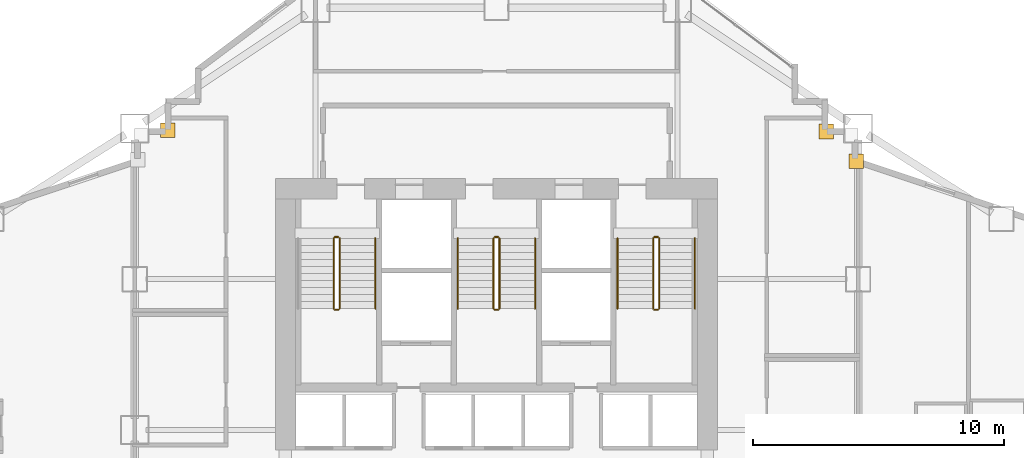
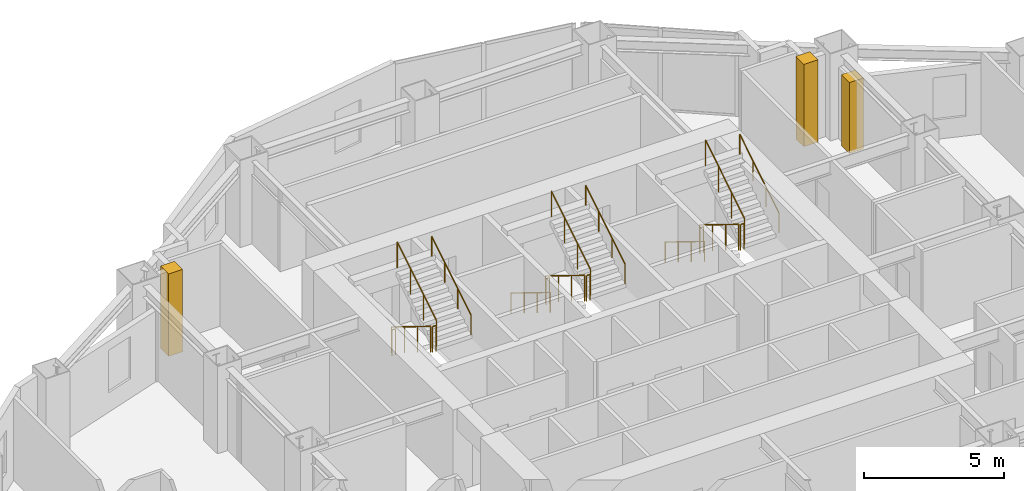
# One storey, part 15 of 16: 17 railings, 3 coverings.
"""IFC4 building model written with IfcOpenShell, lengths in metres."""

from ifc_helpers import new_model, si_unit, direction, frame, origin, origin_2d, place, context, subcontext, project, spatial, rectangle, circle, extrude, material, layer, layer_set, type_object, element, save


model = new_model("IFC4")

# Units and contexts
model_context = context("Model", 3, precision=1e-05, world=origin(), true_north=direction((0.0, 1.0)))
body_context = subcontext(model_context, "Body", "Model", "MODEL_VIEW")
ifc_project = project(units=[si_unit("LENGTHUNIT", "METRE"), si_unit("AREAUNIT", "SQUARE_METRE"), si_unit("VOLUMEUNIT", "CUBIC_METRE"), si_unit("PLANEANGLEUNIT", "RADIAN"), si_unit("MASSUNIT", "GRAM", prefix="KILO")], contexts=[model_context])

# Site, building, storey
site_placement = place(None, origin())
site = spatial("IfcSite", under=ifc_project, at=site_placement, CompositionType="ELEMENT")
building_placement = place(site_placement, origin())
building = spatial("IfcBuilding", under=site, at=building_placement, Name="Haolan Belvedere Tower", CompositionType="ELEMENT")
storey_placement = place(building_placement, frame((0.0, 0.0, 62.800048828125)))
storey = spatial("IfcBuildingStorey", under=building, at=storey_placement, Name="L15", CompositionType="ELEMENT", Elevation=62.800048828125)

# Coverings
ifc_material_1 = material(Name="Pale champagne-silver anodised aluminium rainscreen cladding", Category="aluminium")
ifc_layer = layer(ifc_material_1, 0.034912109375, Name="Pale champagne-silver anodised aluminium rainscreen cladding")
ifc_layer_set = layer_set([ifc_layer], Name="Pale champagne-silver anodised aluminium rainscreen cladding")
covering_type = type_object("IfcCoveringType", Name="COV-CLAD-35", PredefinedType="CLADDING", material=ifc_layer_set)
covering_placement = place(storey_placement, frame((52.72021484375, 44.300048828125, 0.0), z_axis=(0.0, 0.0, 1.0), x_axis=(1.0, 0.0, 0.0)))
element("IfcCovering", 1, at=covering_placement, inside=storey, type_object=covering_type, Name="L15 pale-metal serrated corner cladding trim 7", PredefinedType="CLADDING", context=body_context, shape_type="SweptSolid", body=[
    extrude(rectangle(XDim=0.580078125, YDim=0.580078125, at=origin_2d()), origin(), (0.0, 0.0, 1.0), 3.096923828125),
])
for number, where, z_axis, x_axis, name in (
    (2, (51.5224609375, 45.47998046875, 0.0), (0.0, 0.0, 1.0), (1.0, 0.0, 0.0), "L15 pale-metal serrated corner cladding trim 8"),
    (3, (25.320068359375, 45.5224609375, 0.0), (0.0, 0.0, 1.0), (1.0, 0.0, 0.0), "L15 pale-metal serrated corner cladding trim 9"),
):
    element("IfcCovering", number, at=place(storey_placement, frame(where, z_axis=z_axis, x_axis=x_axis)), inside=storey, type_object=covering_type, Name=name, PredefinedType="CLADDING", context=body_context, shape_type="SweptSolid", body=[
        extrude(rectangle(XDim=0.580078125, YDim=0.580078125, at=origin_2d()), origin(), (0.0, 0.0, 1.0), 3.60009765625),
    ])

# Railings
ifc_material_2 = material(Name="Brushed stainless steel 304", Category="steel")
railing_type_1 = type_object("IfcRailingType", Name="RL-STAIR-GRD-1150", PredefinedType="GUARDRAIL", material=ifc_material_2)
railing_1_placement = place(storey_placement, frame((31.919921875, 41.22998046875, 0.172607421875)))
element("IfcRailing", 4, at=railing_1_placement, inside=storey, type_object=railing_type_1, Name="L15 ST1 stair guard 1", PredefinedType="GUARDRAIL", context=body_context, shape_type="SweptSolid", body=[
    extrude(circle(Radius=0.02392578125, at=origin_2d()), frame((0.0, 0.0, 1.1259765625), z_axis=(0.0, -0.851089632645, 0.525020415988), x_axis=(1.0, 0.0, 0.0)), (0.0, 0.0, 1.0), 3.2900390625),
    extrude(circle(Radius=0.02099609375, at=origin_2d()), origin(), (0.0, 0.0, 1.0), 1.101806640625),
    extrude(circle(Radius=0.02099609375, at=origin_2d()), frame((0.0, -0.933349609375, 0.57568359375)), (0.0, 0.0, 1.0), 1.101806640625),
    extrude(circle(Radius=0.02099609375, at=origin_2d()), frame((0.0, -1.86669921875, 1.151611328125)), (0.0, 0.0, 1.0), 1.101806640625),
    extrude(circle(Radius=0.02099609375, at=origin_2d()), frame((0.0, -2.800048828125, 1.727294921875)), (0.0, 0.0, 1.0), 1.101806640625),
])
railing_2_placement = place(storey_placement, frame((31.969970703125, 38.3798828125, 1.89990234375)))
element("IfcRailing", 5, at=railing_2_placement, inside=storey, type_object=railing_type_1, Name="L15 ST1 stair guard 2", PredefinedType="GUARDRAIL", context=body_context, shape_type="SweptSolid", body=[
    extrude(circle(Radius=0.02392578125, at=origin_2d()), frame((0.0, 0.0, 1.1259765625), z_axis=(1.0, 0.0, 0.0), x_axis=(0.0, 1.0, 0.0)), (0.0, 0.0, 1.0), 0.14013671875),
    extrude(circle(Radius=0.02099609375, at=origin_2d()), origin(), (0.0, 0.0, 1.0), 1.101806640625),
    extrude(circle(Radius=0.02099609375, at=origin_2d()), frame((0.14013671875, 0.0, 0.0)), (0.0, 0.0, 1.0), 1.101806640625),
])
railing_3_placement = place(storey_placement, frame((32.159912109375, 38.429931640625, 2.07275390625)))
element("IfcRailing", 6, at=railing_3_placement, inside=storey, type_object=railing_type_1, Name="L15 ST1 stair guard 3", PredefinedType="GUARDRAIL", context=body_context, shape_type="SweptSolid", body=[
    extrude(circle(Radius=0.02392578125, at=origin_2d()), frame((0.0, 0.0, 1.1259765625), z_axis=(0.0, 0.851089632645, 0.525020415988), x_axis=(-1.0, 0.0, 0.0)), (0.0, 0.0, 1.0), 3.2900390625),
    extrude(circle(Radius=0.02099609375, at=origin_2d()), origin(), (0.0, 0.0, 1.0), 1.101806640625),
    extrude(circle(Radius=0.02099609375, at=origin_2d()), frame((0.0, 0.933349609375, 0.57568359375)), (0.0, 0.0, 1.0), 1.101806640625),
    extrude(circle(Radius=0.02099609375, at=origin_2d()), frame((0.0, 1.86669921875, 1.151611328125)), (0.0, 0.0, 1.0), 1.101806640625),
    extrude(circle(Radius=0.02099609375, at=origin_2d()), frame((0.0, 2.800048828125, 1.727294921875)), (0.0, 0.0, 1.0), 1.101806640625),
])
railing_4_placement = place(storey_placement, frame((31.969970703125, 41.280029296875, 0.0)))
element("IfcRailing", 7, at=railing_4_placement, inside=storey, type_object=railing_type_1, Name="L15 ST1 stair guard 4", PredefinedType="GUARDRAIL", context=body_context, shape_type="SweptSolid", body=[
    extrude(circle(Radius=0.02392578125, at=origin_2d()), frame((0.0, 0.0, 1.1259765625), z_axis=(1.0, 0.0, 0.0), x_axis=(0.0, 1.0, 0.0)), (0.0, 0.0, 1.0), 0.14013671875),
    extrude(circle(Radius=0.02099609375, at=origin_2d()), origin(), (0.0, 0.0, 1.0), 1.101806640625),
    extrude(circle(Radius=0.02099609375, at=origin_2d()), frame((0.14013671875, 0.0, 0.0)), (0.0, 0.0, 1.0), 1.101806640625),
])
railing_5_placement = place(storey_placement, frame((38.280029296875, 41.22998046875, 0.172607421875)))
element("IfcRailing", 8, at=railing_5_placement, inside=storey, type_object=railing_type_1, Name="L15 ST3 stair guard 1", PredefinedType="GUARDRAIL", context=body_context, shape_type="SweptSolid", body=[
    extrude(circle(Radius=0.02392578125, at=origin_2d()), frame((0.0, 0.0, 1.1259765625), z_axis=(0.0, -0.851089632645, 0.525020415988), x_axis=(1.0, 0.0, 0.0)), (0.0, 0.0, 1.0), 3.2900390625),
    extrude(circle(Radius=0.02099609375, at=origin_2d()), origin(), (0.0, 0.0, 1.0), 1.101806640625),
    extrude(circle(Radius=0.02099609375, at=origin_2d()), frame((0.0, -0.933349609375, 0.57568359375)), (0.0, 0.0, 1.0), 1.101806640625),
    extrude(circle(Radius=0.02099609375, at=origin_2d()), frame((0.0, -1.86669921875, 1.151611328125)), (0.0, 0.0, 1.0), 1.101806640625),
    extrude(circle(Radius=0.02099609375, at=origin_2d()), frame((0.0, -2.800048828125, 1.727294921875)), (0.0, 0.0, 1.0), 1.101806640625),
])
railing_6_placement = place(storey_placement, frame((38.330078125, 38.3798828125, 1.89990234375)))
element("IfcRailing", 9, at=railing_6_placement, inside=storey, type_object=railing_type_1, Name="L15 ST3 stair guard 2", PredefinedType="GUARDRAIL", context=body_context, shape_type="SweptSolid", body=[
    extrude(circle(Radius=0.02392578125, at=origin_2d()), frame((0.0, 0.0, 1.1259765625), z_axis=(1.0, 0.0, 0.0), x_axis=(0.0, 1.0, 0.0)), (0.0, 0.0, 1.0), 0.139892578125),
    extrude(circle(Radius=0.02099609375, at=origin_2d()), origin(), (0.0, 0.0, 1.0), 1.101806640625),
    extrude(circle(Radius=0.02099609375, at=origin_2d()), frame((0.139892578125, 0.0, 0.0)), (0.0, 0.0, 1.0), 1.101806640625),
])
railing_7_placement = place(storey_placement, frame((38.52001953125, 38.429931640625, 2.07275390625)))
element("IfcRailing", 10, at=railing_7_placement, inside=storey, type_object=railing_type_1, Name="L15 ST3 stair guard 3", PredefinedType="GUARDRAIL", context=body_context, shape_type="SweptSolid", body=[
    extrude(circle(Radius=0.02392578125, at=origin_2d()), frame((0.0, 0.0, 1.1259765625), z_axis=(0.0, 0.851089632645, 0.525020415988), x_axis=(-1.0, 0.0, 0.0)), (0.0, 0.0, 1.0), 3.2900390625),
    extrude(circle(Radius=0.02099609375, at=origin_2d()), origin(), (0.0, 0.0, 1.0), 1.101806640625),
    extrude(circle(Radius=0.02099609375, at=origin_2d()), frame((0.0, 0.933349609375, 0.57568359375)), (0.0, 0.0, 1.0), 1.101806640625),
    extrude(circle(Radius=0.02099609375, at=origin_2d()), frame((0.0, 1.86669921875, 1.151611328125)), (0.0, 0.0, 1.0), 1.101806640625),
    extrude(circle(Radius=0.02099609375, at=origin_2d()), frame((0.0, 2.800048828125, 1.727294921875)), (0.0, 0.0, 1.0), 1.101806640625),
])
railing_8_placement = place(storey_placement, frame((38.330078125, 41.280029296875, 0.0)))
element("IfcRailing", 11, at=railing_8_placement, inside=storey, type_object=railing_type_1, Name="L15 ST3 stair guard 4", PredefinedType="GUARDRAIL", context=body_context, shape_type="SweptSolid", body=[
    extrude(circle(Radius=0.02392578125, at=origin_2d()), frame((0.0, 0.0, 1.1259765625), z_axis=(1.0, 0.0, 0.0), x_axis=(0.0, 1.0, 0.0)), (0.0, 0.0, 1.0), 0.139892578125),
    extrude(circle(Radius=0.02099609375, at=origin_2d()), origin(), (0.0, 0.0, 1.0), 1.101806640625),
    extrude(circle(Radius=0.02099609375, at=origin_2d()), frame((0.139892578125, 0.0, 0.0)), (0.0, 0.0, 1.0), 1.101806640625),
])
railing_9_placement = place(storey_placement, frame((44.639892578125, 41.22998046875, 0.172607421875)))
element("IfcRailing", 12, at=railing_9_placement, inside=storey, type_object=railing_type_1, Name="L15 ST2 stair guard 1", PredefinedType="GUARDRAIL", context=body_context, shape_type="SweptSolid", body=[
    extrude(circle(Radius=0.02392578125, at=origin_2d()), frame((0.0, 0.0, 1.1259765625), z_axis=(0.0, -0.851089632645, 0.525020415988), x_axis=(1.0, 0.0, 0.0)), (0.0, 0.0, 1.0), 3.2900390625),
    extrude(circle(Radius=0.02099609375, at=origin_2d()), origin(), (0.0, 0.0, 1.0), 1.101806640625),
    extrude(circle(Radius=0.02099609375, at=origin_2d()), frame((0.0, -0.933349609375, 0.57568359375)), (0.0, 0.0, 1.0), 1.101806640625),
    extrude(circle(Radius=0.02099609375, at=origin_2d()), frame((0.0, -1.86669921875, 1.151611328125)), (0.0, 0.0, 1.0), 1.101806640625),
    extrude(circle(Radius=0.02099609375, at=origin_2d()), frame((0.0, -2.800048828125, 1.727294921875)), (0.0, 0.0, 1.0), 1.101806640625),
])
railing_10_placement = place(storey_placement, frame((44.68994140625, 38.3798828125, 1.89990234375)))
element("IfcRailing", 13, at=railing_10_placement, inside=storey, type_object=railing_type_1, Name="L15 ST2 stair guard 2", PredefinedType="GUARDRAIL", context=body_context, shape_type="SweptSolid", body=[
    extrude(circle(Radius=0.02392578125, at=origin_2d()), frame((0.0, 0.0, 1.1259765625), z_axis=(1.0, 0.0, 0.0), x_axis=(0.0, 1.0, 0.0)), (0.0, 0.0, 1.0), 0.14013671875),
    extrude(circle(Radius=0.02099609375, at=origin_2d()), origin(), (0.0, 0.0, 1.0), 1.101806640625),
    extrude(circle(Radius=0.02099609375, at=origin_2d()), frame((0.14013671875, 0.0, 0.0)), (0.0, 0.0, 1.0), 1.101806640625),
])
railing_11_placement = place(storey_placement, frame((44.8798828125, 38.429931640625, 2.07275390625)))
element("IfcRailing", 14, at=railing_11_placement, inside=storey, type_object=railing_type_1, Name="L15 ST2 stair guard 3", PredefinedType="GUARDRAIL", context=body_context, shape_type="SweptSolid", body=[
    extrude(circle(Radius=0.02392578125, at=origin_2d()), frame((0.0, 0.0, 1.1259765625), z_axis=(0.0, 0.851089632645, 0.525020415988), x_axis=(-1.0, 0.0, 0.0)), (0.0, 0.0, 1.0), 3.2900390625),
    extrude(circle(Radius=0.02099609375, at=origin_2d()), origin(), (0.0, 0.0, 1.0), 1.101806640625),
    extrude(circle(Radius=0.02099609375, at=origin_2d()), frame((0.0, 0.933349609375, 0.57568359375)), (0.0, 0.0, 1.0), 1.101806640625),
    extrude(circle(Radius=0.02099609375, at=origin_2d()), frame((0.0, 1.86669921875, 1.151611328125)), (0.0, 0.0, 1.0), 1.101806640625),
    extrude(circle(Radius=0.02099609375, at=origin_2d()), frame((0.0, 2.800048828125, 1.727294921875)), (0.0, 0.0, 1.0), 1.101806640625),
])
railing_12_placement = place(storey_placement, frame((44.68994140625, 41.280029296875, 0.0)))
element("IfcRailing", 15, at=railing_12_placement, inside=storey, type_object=railing_type_1, Name="L15 ST2 stair guard 4", PredefinedType="GUARDRAIL", context=body_context, shape_type="SweptSolid", body=[
    extrude(circle(Radius=0.02392578125, at=origin_2d()), frame((0.0, 0.0, 1.1259765625), z_axis=(1.0, 0.0, 0.0), x_axis=(0.0, 1.0, 0.0)), (0.0, 0.0, 1.0), 0.14013671875),
    extrude(circle(Radius=0.02099609375, at=origin_2d()), origin(), (0.0, 0.0, 1.0), 1.101806640625),
    extrude(circle(Radius=0.02099609375, at=origin_2d()), frame((0.14013671875, 0.0, 0.0)), (0.0, 0.0, 1.0), 1.101806640625),
])
railing_type_2 = type_object("IfcRailingType", Name="RL-STAIR-HND-900", PredefinedType="HANDRAIL", material=ifc_material_2)
railing_13_placement = place(storey_placement, frame((33.580078125, 38.429931640625, 2.07275390625)))
element("IfcRailing", 16, at=railing_13_placement, inside=storey, type_object=railing_type_2, Name="L15 ST1 stair handrail 2", PredefinedType="HANDRAIL", context=body_context, shape_type="SweptSolid", body=[
    extrude(circle(Radius=0.02392578125, at=origin_2d()), frame((0.0, 0.0, 0.8759765625), z_axis=(0.0, 0.851089632645, 0.525020415988), x_axis=(-1.0, 0.0, 0.0)), (0.0, 0.0, 1.0), 3.2900390625),
    extrude(circle(Radius=0.02099609375, at=origin_2d()), origin(), (0.0, 0.0, 1.0), 0.851806640625),
    extrude(circle(Radius=0.02099609375, at=origin_2d()), frame((0.0, 0.933349609375, 0.57568359375)), (0.0, 0.0, 1.0), 0.851806640625),
    extrude(circle(Radius=0.02099609375, at=origin_2d()), frame((0.0, 1.86669921875, 1.151611328125)), (0.0, 0.0, 1.0), 0.851806640625),
    extrude(circle(Radius=0.02099609375, at=origin_2d()), frame((0.0, 2.800048828125, 1.727294921875)), (0.0, 0.0, 1.0), 0.851806640625),
])
railing_14_placement = place(storey_placement, frame((36.860107421875, 41.22998046875, 0.172607421875)))
element("IfcRailing", 17, at=railing_14_placement, inside=storey, type_object=railing_type_2, Name="L15 ST3 stair handrail 1", PredefinedType="HANDRAIL", context=body_context, shape_type="SweptSolid", body=[
    extrude(circle(Radius=0.02392578125, at=origin_2d()), frame((0.0, 0.0, 0.8759765625), z_axis=(0.0, -0.851089632645, 0.525020415988), x_axis=(1.0, 0.0, 0.0)), (0.0, 0.0, 1.0), 3.2900390625),
    extrude(circle(Radius=0.02099609375, at=origin_2d()), origin(), (0.0, 0.0, 1.0), 0.851806640625),
    extrude(circle(Radius=0.02099609375, at=origin_2d()), frame((0.0, -0.933349609375, 0.57568359375)), (0.0, 0.0, 1.0), 0.851806640625),
    extrude(circle(Radius=0.02099609375, at=origin_2d()), frame((0.0, -1.86669921875, 1.151611328125)), (0.0, 0.0, 1.0), 0.851806640625),
    extrude(circle(Radius=0.02099609375, at=origin_2d()), frame((0.0, -2.800048828125, 1.727294921875)), (0.0, 0.0, 1.0), 0.851806640625),
])
railing_15_placement = place(storey_placement, frame((39.93994140625, 38.429931640625, 2.07275390625)))
element("IfcRailing", 18, at=railing_15_placement, inside=storey, type_object=railing_type_2, Name="L15 ST3 stair handrail 2", PredefinedType="HANDRAIL", context=body_context, shape_type="SweptSolid", body=[
    extrude(circle(Radius=0.02392578125, at=origin_2d()), frame((0.0, 0.0, 0.8759765625), z_axis=(0.0, 0.851089632645, 0.525020415988), x_axis=(-1.0, 0.0, 0.0)), (0.0, 0.0, 1.0), 3.2900390625),
    extrude(circle(Radius=0.02099609375, at=origin_2d()), origin(), (0.0, 0.0, 1.0), 0.851806640625),
    extrude(circle(Radius=0.02099609375, at=origin_2d()), frame((0.0, 0.933349609375, 0.57568359375)), (0.0, 0.0, 1.0), 0.851806640625),
    extrude(circle(Radius=0.02099609375, at=origin_2d()), frame((0.0, 1.86669921875, 1.151611328125)), (0.0, 0.0, 1.0), 0.851806640625),
    extrude(circle(Radius=0.02099609375, at=origin_2d()), frame((0.0, 2.800048828125, 1.727294921875)), (0.0, 0.0, 1.0), 0.851806640625),
])
railing_16_placement = place(storey_placement, frame((43.219970703125, 41.22998046875, 0.172607421875)))
element("IfcRailing", 19, at=railing_16_placement, inside=storey, type_object=railing_type_2, Name="L15 ST2 stair handrail 1", PredefinedType="HANDRAIL", context=body_context, shape_type="SweptSolid", body=[
    extrude(circle(Radius=0.02392578125, at=origin_2d()), frame((0.0, 0.0, 0.8759765625), z_axis=(0.0, -0.851089632645, 0.525020415988), x_axis=(1.0, 0.0, 0.0)), (0.0, 0.0, 1.0), 3.2900390625),
    extrude(circle(Radius=0.02099609375, at=origin_2d()), origin(), (0.0, 0.0, 1.0), 0.851806640625),
    extrude(circle(Radius=0.02099609375, at=origin_2d()), frame((0.0, -0.933349609375, 0.57568359375)), (0.0, 0.0, 1.0), 0.851806640625),
    extrude(circle(Radius=0.02099609375, at=origin_2d()), frame((0.0, -1.86669921875, 1.151611328125)), (0.0, 0.0, 1.0), 0.851806640625),
    extrude(circle(Radius=0.02099609375, at=origin_2d()), frame((0.0, -2.800048828125, 1.727294921875)), (0.0, 0.0, 1.0), 0.851806640625),
])
railing_17_placement = place(storey_placement, frame((46.300048828125, 38.429931640625, 2.07275390625)))
element("IfcRailing", 20, at=railing_17_placement, inside=storey, type_object=railing_type_2, Name="L15 ST2 stair handrail 2", PredefinedType="HANDRAIL", context=body_context, shape_type="SweptSolid", body=[
    extrude(circle(Radius=0.02392578125, at=origin_2d()), frame((0.0, 0.0, 0.8759765625), z_axis=(0.0, 0.851089632645, 0.525020415988), x_axis=(-1.0, 0.0, 0.0)), (0.0, 0.0, 1.0), 3.2900390625),
    extrude(circle(Radius=0.02099609375, at=origin_2d()), origin(), (0.0, 0.0, 1.0), 0.851806640625),
    extrude(circle(Radius=0.02099609375, at=origin_2d()), frame((0.0, 0.933349609375, 0.57568359375)), (0.0, 0.0, 1.0), 0.851806640625),
    extrude(circle(Radius=0.02099609375, at=origin_2d()), frame((0.0, 1.86669921875, 1.151611328125)), (0.0, 0.0, 1.0), 0.851806640625),
    extrude(circle(Radius=0.02099609375, at=origin_2d()), frame((0.0, 2.800048828125, 1.727294921875)), (0.0, 0.0, 1.0), 0.851806640625),
])

save(model, "model.ifc")
